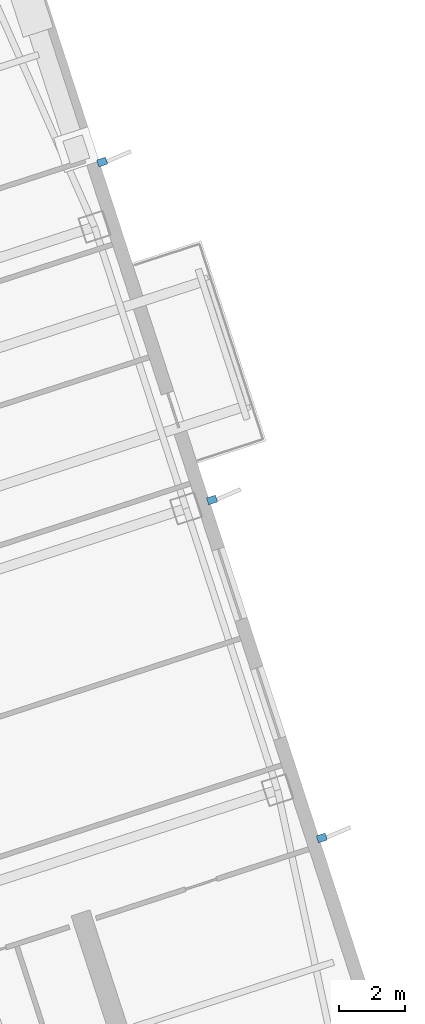
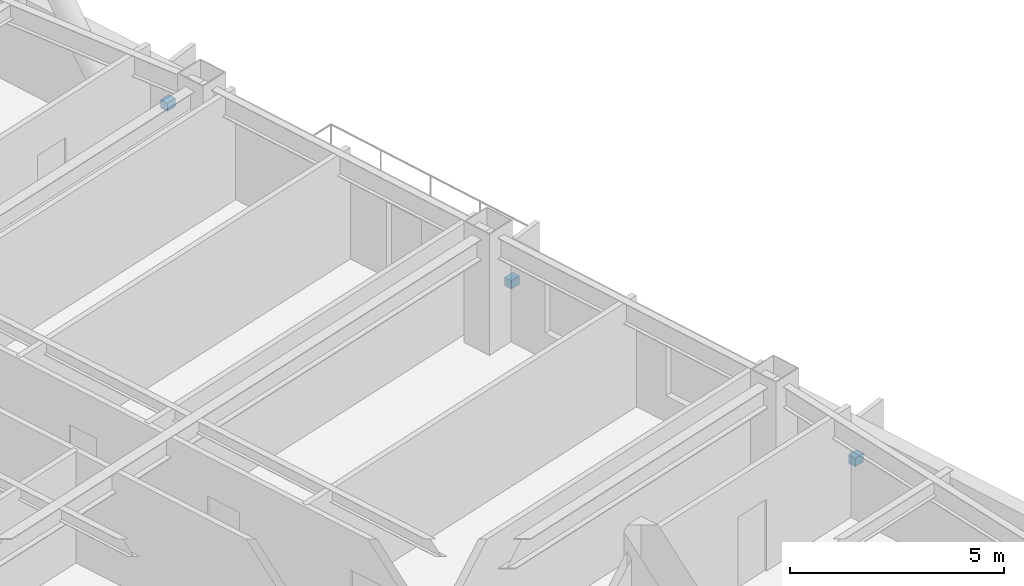
# One storey, part 13 of 18: 3 discrete accessories.
"""IFC4 building model written with IfcOpenShell, lengths in metres."""

from ifc_helpers import new_model, si_unit, direction, frame, origin, origin_2d, place, context, subcontext, project, spatial, rectangle, extrude, material, type_object, element, save


model = new_model("IFC4")

# Units and contexts
model_context = context("Model", 3, precision=1e-05, world=origin(), true_north=direction((0.0, 1.0)))
body_context = subcontext(model_context, "Body", "Model", "MODEL_VIEW")
ifc_project = project(units=[si_unit("LENGTHUNIT", "METRE"), si_unit("AREAUNIT", "SQUARE_METRE"), si_unit("VOLUMEUNIT", "CUBIC_METRE"), si_unit("PLANEANGLEUNIT", "RADIAN"), si_unit("MASSUNIT", "GRAM", prefix="KILO")], contexts=[model_context])

# Site, building, storey
site_placement = place(None, origin())
site = spatial("IfcSite", under=ifc_project, at=site_placement, CompositionType="ELEMENT")
building_placement = place(site_placement, origin())
building = spatial("IfcBuilding", under=site, at=building_placement, Name="Qiaolan Cultural Towers", CompositionType="ELEMENT")
storey_placement = place(building_placement, frame((0.0, 0.0, 163.300048828125)))
storey = spatial("IfcBuildingStorey", under=building, at=storey_placement, Name="L43", CompositionType="ELEMENT", Elevation=163.300048828125)

# Discrete accessories
ifc_material = material(Name="Stainless Steel S31608 Facade Anchor Bracket", Category="steel")
discrete_accessory_type = type_object("IfcDiscreteAccessoryType", Name="ACC-BRK-SS", PredefinedType="BRACKET", material=ifc_material)
for number, where, z_axis, x_axis, name in (
    (1, (108.440185546875, 28.6357421875, 1.18505859375), (0.0, 0.0, 1.0), (0.951056516295, 0.309016994375, 0.0), "L43 T2 Facade Fin Anchor Bracket E1"),
    (2, (105.102783203125, 38.9072265625, 1.18505859375), (0.0, 0.0, 1.0), (0.951056516295, 0.309016994375, 0.0), "L43 T2 Facade Fin Anchor Bracket E2"),
    (3, (101.765380859375, 49.1787109375, 1.18505859375), (0.0, 0.0, 1.0), (0.951056516295, 0.309016994375, 0.0), "L43 T2 Facade Fin Anchor Bracket E3"),
):
    element("IfcDiscreteAccessory", number, at=place(storey_placement, frame(where, z_axis=z_axis, x_axis=x_axis)), inside=storey, type_object=discrete_accessory_type, Name=name, PredefinedType="BRACKET", context=body_context, shape_type="SweptSolid", body=[
        extrude(rectangle(XDim=0.280029296875, YDim=0.219970703125, at=origin_2d()), origin(), (0.0, 0.0, 1.0), 0.239990234375),
    ])

save(model, "model.ifc")
